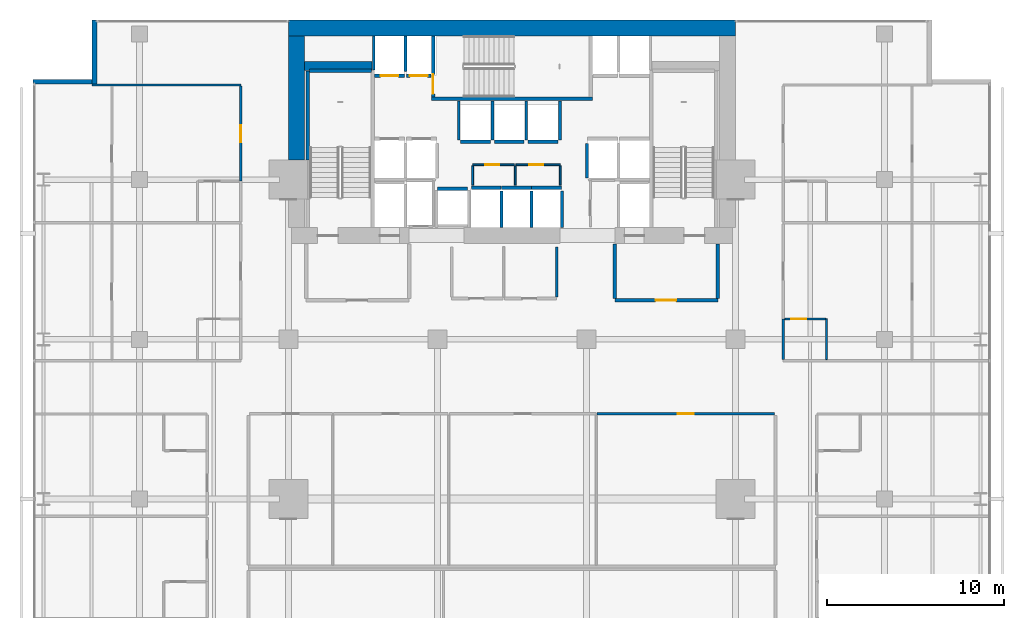
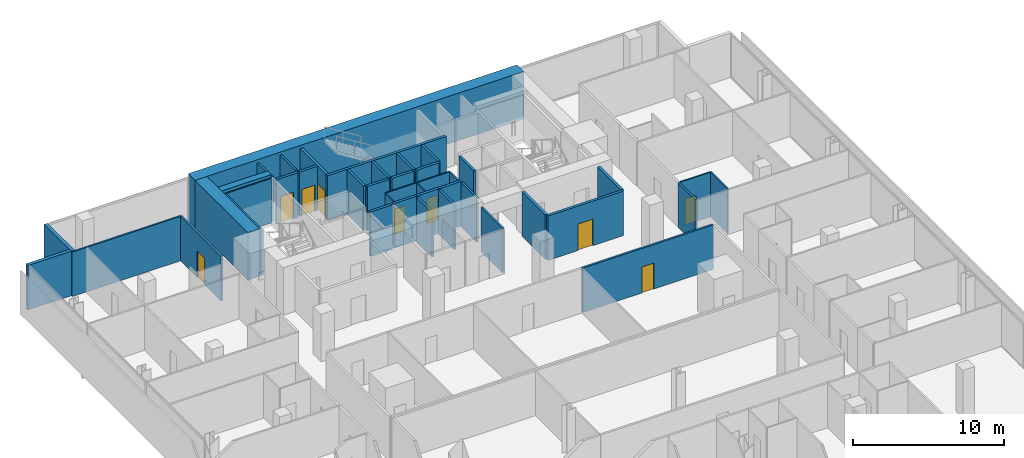
# One storey, part 36 of 40: 43 walls, 9 doors, 9 openings.
"""IFC4 building model written with IfcOpenShell, lengths in metres."""

from ifc_helpers import new_model, si_unit, direction, frame, frame_2d, origin, place, context, subcontext, project, spatial, rectangle, extrude, material, layer, layer_set, type_object, element, fill, save


model = new_model("IFC4")

# Units and contexts
model_context = context("Model", 3, precision=1e-05, world=origin(), true_north=direction((0.0, 1.0)))
body_context = subcontext(model_context, "Body", "Model", "MODEL_VIEW")
ifc_project = project(units=[si_unit("LENGTHUNIT", "METRE"), si_unit("AREAUNIT", "SQUARE_METRE"), si_unit("VOLUMEUNIT", "CUBIC_METRE"), si_unit("PLANEANGLEUNIT", "RADIAN"), si_unit("MASSUNIT", "GRAM", prefix="KILO")], contexts=[model_context])

# Site, building, storey
site_placement = place(None, origin())
site = spatial("IfcSite", under=ifc_project, at=site_placement, CompositionType="ELEMENT")
building_placement = place(site_placement, origin())
building = spatial("IfcBuilding", under=site, at=building_placement, Name="Maruvema Waterfront Hotel and Observation Tower", CompositionType="ELEMENT")
storey_placement = place(building_placement, frame((0.0, 0.0, 96.25)))
storey = spatial("IfcBuildingStorey", under=building, at=storey_placement, Name="L23", CompositionType="ELEMENT", Elevation=96.25)

# Wall
ifc_material_1 = material(Name="Twin-stud acoustic gypsum drywall", Category="gypsum")
ifc_layer_1 = layer(ifc_material_1, 0.14990234375, Name="Acoustic Corridor and Suite Demising Wall 150 mm")
ifc_layer_set_1 = layer_set([ifc_layer_1], Name="Twin-stud acoustic gypsum drywall")
wall_type_1 = type_object("IfcWallType", Name="Acoustic Corridor and Suite Demising Wall 150 mm", PredefinedType="PARTITIONING", material=ifc_layer_set_1)
wall_1_placement = place(storey_placement, frame((40.320068359375, 38.3798828125, 0.0), z_axis=(0.0, 0.0, 1.0), x_axis=(0.0, 1.0, 0.0)))
element("IfcWall", 1, at=wall_1_placement, inside=storey, type_object=wall_type_1, Name="L23 Core Apron K2 East 021", PredefinedType="PARTITIONING", context=body_context, shape_type="SweptSolid", body=[
    extrude(rectangle(XDim=2.840087890625, YDim=0.14990234375, at=frame_2d((1.419921875, 0.0))), origin(), (0.0, 0.0, 1.0), 3.610107421875),
])

# Wall, opening, door
wall_2_placement = place(storey_placement, frame((42.58203125, 31.800048828125, 0.0), z_axis=(0.0, 0.0, 1.0), x_axis=(1.0, 0.0, 0.0)))
wall_2 = element("IfcWall", 2, at=wall_2_placement, inside=storey, type_object=wall_type_1, Name="L23 L23-INTN Front 4 031", PredefinedType="PARTITIONING", context=body_context, shape_type="SweptSolid", body=[
    extrude(rectangle(XDim=10.008056640625, YDim=0.14990234375, at=frame_2d((5.00390625, 0.0))), origin(), (0.0, 0.0, 1.0), 3.610107421875),
])
opening_1_placement = place(wall_2_placement, frame((4.553955078125, 0.0, 0.0)))
opening_1 = element("IfcOpeningElement", 3, at=opening_1_placement, cuts=wall_2, Name="Opening DR-090", PredefinedType="OPENING", context=body_context, shape_type="SweptSolid", body=[
    extrude(rectangle(XDim=0.89990234375, YDim=2.10009765625, at=frame_2d((0.449951171875, 1.050048828125))), frame((0.0, 0.0849609375, 0.0), z_axis=(0.0, -1.0, 0.0), x_axis=(1.0, 0.0, 0.0)), (0.0, 0.0, 1.0), 0.169921875),
])
ifc_material_2 = material(Name="Solid-core lacquered timber leaf", Category="wood")
door_type_1 = type_object("IfcDoorType", Name="Accessible Toilet and Room Door 900x2100 mm", OperationType="NOTDEFINED", PredefinedType="DOOR", material=ifc_material_2)
door_1_placement = place(opening_1_placement, origin())
door_1 = element("IfcDoor", 4, at=door_1_placement, inside=storey, type_object=door_type_1, Name="L23 Butler Kitchenette Door", OperationType="SINGLE_SWING_RIGHT", OverallHeight=2.10009765625, OverallWidth=0.89990234375, PredefinedType="DOOR", context=body_context, shape_type="SweptSolid", body=[
    extrude(rectangle(XDim=0.89990234375, YDim=2.10009765625, at=frame_2d((0.449951171875, 1.050048828125))), frame((0.0, 0.02490234375, 0.0), z_axis=(0.0, -1.0, 0.0), x_axis=(1.0, 0.0, 0.0)), (0.0, 0.0, 1.0), 0.050048828125),
])
fill(opening_1, door_1)

# Wall
wall_3_placement = place(storey_placement, frame((53.080078125, 34.860107421875, 0.0), z_axis=(0.0, 0.0, 1.0), x_axis=(0.0, 1.0, 0.0)))
element("IfcWall", 5, at=wall_3_placement, inside=storey, type_object=wall_type_1, Name="L23 Bath L23-NE1 Wall 108", PredefinedType="PARTITIONING", context=body_context, shape_type="SweptSolid", body=[
    extrude(rectangle(XDim=2.289794921875, YDim=0.14990234375, at=frame_2d((1.14501953125, 0.0))), origin(), (0.0, 0.0, 1.0), 3.610107421875),
])

# Wall, opening, door
wall_4_placement = place(storey_placement, frame((22.52001953125, 44.918701171875, 0.0), z_axis=(0.0, 0.0, 1.0), x_axis=(0.0, 1.0, 0.0)))
wall_4 = element("IfcWall", 6, at=wall_4_placement, inside=storey, type_object=wall_type_1, Name="L23 Room L23-NW2 Corridor Wall 116", PredefinedType="PARTITIONING", context=body_context, shape_type="SweptSolid", body=[
    extrude(rectangle(XDim=5.35888671875, YDim=0.14990234375, at=frame_2d((2.679443359375, 0.0))), origin(), (0.0, 0.0, 1.0), 3.610107421875),
])
opening_2_placement = place(wall_4_placement, frame((2.204345703125, 0.0, 0.0)))
opening_2 = element("IfcOpeningElement", 7, at=opening_2_placement, cuts=wall_4, Name="Opening DR-095", PredefinedType="OPENING", context=body_context, shape_type="SweptSolid", body=[
    extrude(rectangle(XDim=0.949951171875, YDim=2.14990234375, at=frame_2d((0.47509765625, 1.074951171875))), frame((0.0, 0.0849609375, 0.0), z_axis=(0.0, -1.0, 0.0), x_axis=(1.0, 0.0, 0.0)), (0.0, 0.0, 1.0), 0.169921875),
])
ifc_material_3 = material(Name="Acoustic solid-core hardwood timber leaf", Category="wood")
door_type_2 = type_object("IfcDoorType", Name="Guestroom Entrance Fire Door 950x2150 mm", OperationType="NOTDEFINED", PredefinedType="DOOR", material=ifc_material_3)
door_2_placement = place(opening_2_placement, origin())
door_2 = element("IfcDoor", 8, at=door_2_placement, inside=storey, type_object=door_type_2, Name="L23 Room L23-NW2 Entrance Door", OperationType="SINGLE_SWING_RIGHT", OverallHeight=2.14990234375, OverallWidth=0.949951171875, PredefinedType="DOOR", context=body_context, shape_type="SweptSolid", body=[
    extrude(rectangle(XDim=0.949951171875, YDim=2.14990234375, at=frame_2d((0.47509765625, 1.074951171875))), frame((0.0, 0.02490234375, 0.0), z_axis=(0.0, -1.0, 0.0), x_axis=(1.0, 0.0, 0.0)), (0.0, 0.0, 1.0), 0.050048828125),
])
fill(opening_2, door_2)

# Walls
ifc_material_4 = material(Name="Precast concrete C45/55", Category="concrete")
ifc_layer_2 = layer(ifc_material_4, 0.199951171875, Name="Core Shaft and Stairwell Enclosure Wall 200 mm")
ifc_layer_set_2 = layer_set([ifc_layer_2], Name="Precast concrete C45/55")
wall_type_2 = type_object("IfcWallType", Name="Core Shaft and Stairwell Enclosure Wall 200 mm", PredefinedType="SOLIDWALL", material=ifc_layer_set_2)
wall_5_placement = place(storey_placement, frame((26.300048828125, 46.1201171875, 0.0), z_axis=(0.0, 0.0, 1.0), x_axis=(0.0, 1.0, 0.0)))
element("IfcWall", 9, at=wall_5_placement, inside=storey, type_object=wall_type_2, Name="L23 Stairwell ST-01 Shaft Lining Wall", PredefinedType="SOLIDWALL", context=body_context, shape_type="SweptSolid", body=[
    extrude(rectangle(XDim=5.0, YDim=0.199951171875, at=frame_2d((2.5, 0.0))), origin(), (0.0, 0.0, 1.0), 3.610107421875),
])
wall_6_placement = place(storey_placement, frame((26.3798828125, 51.14990234375, 0.0), z_axis=(0.0, 0.0, 1.0), x_axis=(1.0, 0.0, 0.0)))
element("IfcWall", 10, at=wall_6_placement, inside=storey, type_object=wall_type_2, Name="L23 Stairwell ST-01 Shaft Lining Wall", PredefinedType="SOLIDWALL", context=body_context, shape_type="SweptSolid", body=[
    extrude(rectangle(XDim=3.5, YDim=0.199951171875, at=frame_2d((1.75, 0.0))), origin(), (0.0, 0.0, 1.0), 3.610107421875),
])
wall_7_placement = place(storey_placement, frame((33.25, 49.550048828125, 0.0), z_axis=(0.0, 0.0, 1.0), x_axis=(1.0, 0.0, 0.0)))
element("IfcWall", 11, at=wall_7_placement, inside=storey, type_object=wall_type_2, Name="L23 Stairwell ST-02 Shaft Wall", PredefinedType="SOLIDWALL", context=body_context, shape_type="SweptSolid", body=[
    extrude(rectangle(XDim=9.10009765625, YDim=0.199951171875, at=frame_2d((4.550048828125, 0.0))), origin(), (0.0, 0.0, 1.0), 3.610107421875),
])

# Wall, opening, door
wall_8_placement = place(storey_placement, frame((33.35009765625, 49.64990234375, 0.0), z_axis=(0.0, 0.0, 1.0), x_axis=(0.0, 1.0, 0.0)))
wall_8 = element("IfcWall", 12, at=wall_8_placement, inside=storey, type_object=wall_type_2, Name="L23 Stairwell ST-02 Shaft Wall", PredefinedType="SOLIDWALL", context=body_context, shape_type="SweptSolid", body=[
    extrude(rectangle(XDim=3.4501953125, YDim=0.199951171875, at=frame_2d((1.72509765625, 0.0))), origin(), (0.0, 0.0, 1.0), 3.610107421875),
])
opening_3_placement = place(wall_8_placement, frame((0.179931640625, 0.0, 0.0)))
opening_3 = element("IfcOpeningElement", 13, at=opening_3_placement, cuts=wall_8, Name="Opening SD-02", PredefinedType="OPENING", context=body_context, shape_type="SweptSolid", body=[
    extrude(rectangle(XDim=1.10009765625, YDim=2.14990234375, at=frame_2d((0.550048828125, 1.074951171875))), frame((0.0, 0.10986328125, 0.0), z_axis=(0.0, -1.0, 0.0), x_axis=(1.0, 0.0, 0.0)), (0.0, 0.0, 1.0), 0.219970703125),
])
ifc_material_5 = material(Name="Fire-rated galvanised steel leaf", Category="steel")
door_type_3 = type_object("IfcDoorType", Name="Central Exit Stair Fire Door 1100x2150 mm", OperationType="NOTDEFINED", PredefinedType="DOOR", material=ifc_material_5)
door_3_placement = place(opening_3_placement, frame((1.10009765625, 0.0, 0.0), z_axis=(0.0, 0.0, 1.0), x_axis=(-1.0, 0.0, 0.0)))
door_3 = element("IfcDoor", 14, at=door_3_placement, inside=storey, type_object=door_type_3, Name="L23 Exit Stair ST-02 Fire Door", OperationType="SINGLE_SWING_LEFT", OverallHeight=2.14990234375, OverallWidth=1.10009765625, PredefinedType="DOOR", context=body_context, shape_type="SweptSolid", body=[
    extrude(rectangle(XDim=1.10009765625, YDim=2.14990234375, at=frame_2d((0.550048828125, 1.074951171875))), frame((0.0, 0.02490234375, 0.0), z_axis=(0.0, -1.0, 0.0), x_axis=(1.0, 0.0, 0.0)), (0.0, 0.0, 1.0), 0.050048828125),
])
fill(opening_3, door_3)

wall_9_placement = place(storey_placement, frame((30.06005859375, 50.85009765625, 0.0), z_axis=(0.0, 0.0, 1.0), x_axis=(1.0, 0.0, 0.0)))
wall_9 = element("IfcWall", 15, at=wall_9_placement, inside=storey, type_object=wall_type_2, Name="L23 Lift LF-03 Hoistway Front Wall", PredefinedType="SOLIDWALL", context=body_context, shape_type="SweptSolid", body=[
    extrude(rectangle(XDim=1.679931640625, YDim=0.199951171875, at=frame_2d((0.83984375, 0.0))), origin(), (0.0, 0.0, 1.0), 3.610107421875),
])
opening_4_placement = place(wall_9_placement, frame((0.340087890625, 0.0, 0.0)))
opening_4 = element("IfcOpeningElement", 16, at=opening_4_placement, cuts=wall_9, Name="Opening LD-01", PredefinedType="OPENING", context=body_context, shape_type="SweptSolid", body=[
    extrude(rectangle(XDim=1.0, YDim=2.14990234375, at=frame_2d((0.5, 1.074951171875))), frame((0.0, 0.10986328125, 0.0), z_axis=(0.0, -1.0, 0.0), x_axis=(1.0, 0.0, 0.0)), (0.0, 0.0, 1.0), 0.219970703125),
])
ifc_material_6 = material(Name="Brushed stainless steel Grade 316", Category="steel")
door_type_4 = type_object("IfcDoorType", Name="Passenger Lift Sliding Landing Door 1000x2150 mm", OperationType="SLIDING_TO_LEFT", PredefinedType="DOOR", material=ifc_material_6)
door_4_placement = place(opening_4_placement, frame((1.0, 0.0, 0.0), z_axis=(0.0, 0.0, 1.0), x_axis=(-1.0, 0.0, 0.0)))
door_4 = element("IfcDoor", 17, at=door_4_placement, inside=storey, type_object=door_type_4, Name="L23 Lift LF-03 Sliding Landing Door", OperationType="SLIDING_TO_LEFT", OverallHeight=2.14990234375, OverallWidth=1.0, PredefinedType="DOOR", context=body_context, shape_type="SweptSolid", body=[
    extrude(rectangle(XDim=1.0, YDim=2.14990234375, at=frame_2d((0.5, 1.074951171875))), frame((0.0, 0.02490234375, 0.0), z_axis=(0.0, -1.0, 0.0), x_axis=(1.0, 0.0, 0.0)), (0.0, 0.0, 1.0), 0.050048828125),
])
fill(opening_4, door_4)

wall_10_placement = place(storey_placement, frame((31.860107421875, 50.85009765625, 0.0), z_axis=(0.0, 0.0, 1.0), x_axis=(1.0, 0.0, 0.0)))
wall_10 = element("IfcWall", 18, at=wall_10_placement, inside=storey, type_object=wall_type_2, Name="L23 Lift LF-04 Hoistway Front Wall", PredefinedType="SOLIDWALL", context=body_context, shape_type="SweptSolid", body=[
    extrude(rectangle(XDim=1.3798828125, YDim=0.199951171875, at=frame_2d((0.68994140625, 0.0))), origin(), (0.0, 0.0, 1.0), 3.610107421875),
])
opening_5_placement = place(wall_10_placement, frame((0.18994140625, 0.0, 0.0)))
opening_5 = element("IfcOpeningElement", 19, at=opening_5_placement, cuts=wall_10, Name="Opening LD-01", PredefinedType="OPENING", context=body_context, shape_type="SweptSolid", body=[
    extrude(rectangle(XDim=1.0, YDim=2.14990234375, at=frame_2d((0.5, 1.074951171875))), frame((0.0, 0.10986328125, 0.0), z_axis=(0.0, -1.0, 0.0), x_axis=(1.0, 0.0, 0.0)), (0.0, 0.0, 1.0), 0.219970703125),
])
door_5_placement = place(opening_5_placement, frame((1.0, 0.0, 0.0), z_axis=(0.0, 0.0, 1.0), x_axis=(-1.0, 0.0, 0.0)))
door_5 = element("IfcDoor", 20, at=door_5_placement, inside=storey, type_object=door_type_4, Name="L23 Lift LF-04 Sliding Landing Door", OperationType="SLIDING_TO_LEFT", OverallHeight=2.14990234375, OverallWidth=1.0, PredefinedType="DOOR", context=body_context, shape_type="SweptSolid", body=[
    extrude(rectangle(XDim=1.0, YDim=2.14990234375, at=frame_2d((0.5, 1.074951171875))), frame((0.0, 0.02490234375, 0.0), z_axis=(0.0, -1.0, 0.0), x_axis=(1.0, 0.0, 0.0)), (0.0, 0.0, 1.0), 0.050048828125),
])
fill(opening_5, door_5)

# Walls
for number, where, z_axis, x_axis, name in (
    (21, (35.510009765625, 44.550048828125, 0.0), (0.0, 0.0, 1.0), (1.0, 0.0, 0.0), "L23 Lift LF-09 Hoistway Front Wall"),
    (22, (37.2099609375, 44.550048828125, 0.0), (0.0, 0.0, 1.0), (1.0, 0.0, 0.0), "L23 Lift LF-10 Hoistway Front Wall"),
):
    element("IfcWall", number, at=place(storey_placement, frame(where, z_axis=z_axis, x_axis=x_axis)), inside=storey, type_object=wall_type_2, Name=name, PredefinedType="SOLIDWALL", context=body_context, shape_type="SweptSolid", body=[
        extrude(rectangle(XDim=1.679931640625, YDim=0.199951171875, at=frame_2d((0.83984375, 0.0))), origin(), (0.0, 0.0, 1.0), 3.610107421875),
    ])
for number, where, z_axis, x_axis, name in (
    (23, (38.909912109375, 44.550048828125, 0.0), (0.0, 0.0, 1.0), (1.0, 0.0, 0.0), "L23 Lift LF-11 Hoistway Front Wall"),
    (24, (34.909912109375, 47.14990234375, 0.0), (0.0, 0.0, 1.0), (1.0, 0.0, 0.0), "L23 Lift LF-12 Hoistway Front Wall"),
):
    element("IfcWall", number, at=place(storey_placement, frame(where, z_axis=z_axis, x_axis=x_axis)), inside=storey, type_object=wall_type_2, Name=name, PredefinedType="SOLIDWALL", context=body_context, shape_type="SweptSolid", body=[
        extrude(rectangle(XDim=1.68017578125, YDim=0.199951171875, at=frame_2d((0.840087890625, 0.0))), origin(), (0.0, 0.0, 1.0), 3.610107421875),
    ])
for number, where, z_axis, x_axis, name in (
    (25, (36.81005859375, 47.14990234375, 0.0), (0.0, 0.0, 1.0), (1.0, 0.0, 0.0), "L23 Lift LF-13 Hoistway Front Wall"),
    (26, (38.7099609375, 47.14990234375, 0.0), (0.0, 0.0, 1.0), (1.0, 0.0, 0.0), "L23 Lift LF-14 Hoistway Front Wall"),
    (27, (33.610107421875, 44.5, 0.0), (0.0, 0.0, 1.0), (1.0, 0.0, 0.0), "L23 Lift LF-15 Hoistway Front Wall"),
):
    element("IfcWall", number, at=place(storey_placement, frame(where, z_axis=z_axis, x_axis=x_axis)), inside=storey, type_object=wall_type_2, Name=name, PredefinedType="SOLIDWALL", context=body_context, shape_type="SweptSolid", body=[
        extrude(rectangle(XDim=1.679931640625, YDim=0.199951171875, at=frame_2d((0.83984375, 0.0))), origin(), (0.0, 0.0, 1.0), 3.610107421875),
    ])
ifc_material_7 = material(Name="Concrete C70/85", Category="concrete")
ifc_layer_3 = layer(ifc_material_7, 0.5, Name="Core Shear Wall 500 mm")
ifc_layer_set_3 = layer_set([ifc_layer_3], Name="Concrete C70/85")
wall_type_3 = type_object("IfcWallType", Name="Core Shear Wall 500 mm", PredefinedType="SHEAR", material=ifc_layer_set_3)
wall_11_placement = place(storey_placement, frame((26.10009765625, 51.39990234375, 0.0), z_axis=(0.0, 0.0, 1.0), x_axis=(1.0, 0.0, 0.0)))
element("IfcWall", 28, at=wall_11_placement, inside=storey, type_object=wall_type_3, Name="L23 Internal Core Shear Wall NW 500 mm", PredefinedType="SHEAR", context=body_context, shape_type="SweptSolid", body=[
    extrude(rectangle(XDim=3.7998046875, YDim=0.5, at=frame_2d((1.89990234375, 0.0))), origin(), (0.0, 0.0, 1.0), 3.85009765625),
])
ifc_material_8 = material(Name="Concrete C80/95", Category="concrete")
ifc_layer_4 = layer(ifc_material_8, 0.89990234375, Name="Core Shear Wall 900 mm")
ifc_layer_set_4 = layer_set([ifc_layer_4], Name="Concrete C80/95")
wall_type_4 = type_object("IfcWallType", Name="Core Shear Wall 900 mm", PredefinedType="SHEAR", material=ifc_layer_set_4)
wall_12_placement = place(storey_placement, frame((25.199951171875, 53.550048828125, 0.0), z_axis=(0.0, 0.0, 1.0), x_axis=(1.0, 0.0, 0.0)))
element("IfcWall", 29, at=wall_12_placement, inside=storey, type_object=wall_type_4, Name="L23 North Core Shear Wall", PredefinedType="SHEAR", context=body_context, shape_type="SweptSolid", body=[
    extrude(rectangle(XDim=25.199951171875, YDim=0.89990234375, at=frame_2d((12.60009765625, 0.0))), origin(), (0.0, 0.0, 1.0), 3.85009765625),
])
wall_13_placement = place(storey_placement, frame((25.64990234375, 46.10009765625, 0.0), z_axis=(0.0, 0.0, 1.0), x_axis=(0.0, 1.0, 0.0)))
element("IfcWall", 30, at=wall_13_placement, inside=storey, type_object=wall_type_4, Name="L23 West-North Core Shear Wall", PredefinedType="SHEAR", context=body_context, shape_type="SweptSolid", body=[
    extrude(rectangle(XDim=7.0, YDim=0.89990234375, at=frame_2d((3.5, 0.0))), origin(), (0.0, 0.0, 1.0), 3.85009765625),
])

# Wall, opening, door
ifc_material_9 = material(Name="Moisture-resistant cement-board drywall", Category="gypsum")
ifc_layer_5 = layer(ifc_material_9, 0.10009765625, Name="En-Suite Moisture-Resistant Partition 100 mm")
ifc_layer_set_5 = layer_set([ifc_layer_5], Name="Moisture-resistant cement-board drywall")
wall_type_5 = type_object("IfcWallType", Name="En-Suite Moisture-Resistant Partition 100 mm", PredefinedType="PARTITIONING", material=ifc_layer_set_5)
wall_14_placement = place(storey_placement, frame((35.580078125, 45.840087890625, 0.0), z_axis=(0.0, 0.0, 1.0), x_axis=(1.0, 0.0, 0.0)))
wall_14 = element("IfcWall", 31, at=wall_14_placement, inside=storey, type_object=wall_type_5, Name="L23 Core Closet K2A North 010", PredefinedType="PARTITIONING", context=body_context, shape_type="SweptSolid", body=[
    extrude(rectangle(XDim=2.35986328125, YDim=0.10009765625, at=frame_2d((1.179931640625, 0.0))), origin(), (0.0, 0.0, 1.0), 3.610107421875),
])
opening_6_placement = place(wall_14_placement, frame((0.699951171875, 0.0, 0.0)))
opening_6 = element("IfcOpeningElement", 32, at=opening_6_placement, cuts=wall_14, Name="Opening DR-080", PredefinedType="OPENING", context=body_context, shape_type="SweptSolid", body=[
    extrude(rectangle(XDim=0.800048828125, YDim=2.050048828125, at=frame_2d((0.39990234375, 1.02490234375))), frame((0.0, 0.06005859375, 0.0), z_axis=(0.0, -1.0, 0.0), x_axis=(1.0, 0.0, 0.0)), (0.0, 0.0, 1.0), 0.1201171875),
])
ifc_material_10 = material(Name="Powder-coated steel access leaf", Category="steel")
door_type_5 = type_object("IfcDoorType", Name="Riser and Service Cupboard Door 800x2050 mm", OperationType="NOTDEFINED", PredefinedType="DOOR", material=ifc_material_10)
door_6_placement = place(opening_6_placement, origin())
door_6 = element("IfcDoor", 33, at=door_6_placement, inside=storey, type_object=door_type_5, Name="L23 Core IT Closet Door", OperationType="SINGLE_SWING_RIGHT", OverallHeight=2.050048828125, OverallWidth=0.800048828125, PredefinedType="DOOR", context=body_context, shape_type="SweptSolid", body=[
    extrude(rectangle(XDim=0.800048828125, YDim=2.050048828125, at=frame_2d((0.39990234375, 1.02490234375))), frame((0.0, 0.02490234375, 0.0), z_axis=(0.0, -1.0, 0.0), x_axis=(1.0, 0.0, 0.0)), (0.0, 0.0, 1.0), 0.050048828125),
])
fill(opening_6, door_6)

wall_15_placement = place(storey_placement, frame((38.02001953125, 45.840087890625, 0.0), z_axis=(0.0, 0.0, 1.0), x_axis=(1.0, 0.0, 0.0)))
wall_15 = element("IfcWall", 34, at=wall_15_placement, inside=storey, type_object=wall_type_5, Name="L23 Core Closet K2B North 011", PredefinedType="PARTITIONING", context=body_context, shape_type="SweptSolid", body=[
    extrude(rectangle(XDim=2.5, YDim=0.10009765625, at=frame_2d((1.25, 0.0))), origin(), (0.0, 0.0, 1.0), 3.610107421875),
])
opening_7_placement = place(wall_15_placement, frame((0.75, 0.0, 0.0)))
opening_7 = element("IfcOpeningElement", 35, at=opening_7_placement, cuts=wall_15, Name="Opening DR-080", PredefinedType="OPENING", context=body_context, shape_type="SweptSolid", body=[
    extrude(rectangle(XDim=0.800048828125, YDim=2.050048828125, at=frame_2d((0.39990234375, 1.02490234375))), frame((0.0, 0.06005859375, 0.0), z_axis=(0.0, -1.0, 0.0), x_axis=(1.0, 0.0, 0.0)), (0.0, 0.0, 1.0), 0.1201171875),
])
door_7_placement = place(opening_7_placement, origin())
door_7 = element("IfcDoor", 36, at=door_7_placement, inside=storey, type_object=door_type_5, Name="L23 Core Linen Cupboard Door", OperationType="SINGLE_SWING_LEFT", OverallHeight=2.050048828125, OverallWidth=0.800048828125, PredefinedType="DOOR", context=body_context, shape_type="SweptSolid", body=[
    extrude(rectangle(XDim=0.800048828125, YDim=2.050048828125, at=frame_2d((0.39990234375, 1.02490234375))), frame((0.0, 0.02490234375, 0.0), z_axis=(0.0, -1.0, 0.0), x_axis=(1.0, 0.0, 0.0)), (0.0, 0.0, 1.0), 0.050048828125),
])
fill(opening_7, door_7)

# Walls
for number, where, z_axis, x_axis, name in (
    (37, (35.580078125, 44.699951171875, 0.0), (0.0, 0.0, 1.0), (0.0, 1.0, 0.0), "L23 Core Closet K2 West 012"),
    (38, (37.97998046875, 44.699951171875, 0.0), (0.0, 0.0, 1.0), (0.0, 1.0, 0.0), "L23 Core Closet K2 Mid 013"),
    (39, (40.52001953125, 44.699951171875, 0.0), (0.0, 0.0, 1.0), (0.0, 1.0, 0.0), "L23 Core Closet K2 East 014"),
):
    element("IfcWall", number, at=place(storey_placement, frame(where, z_axis=z_axis, x_axis=x_axis)), inside=storey, type_object=wall_type_5, Name=name, PredefinedType="PARTITIONING", context=body_context, shape_type="SweptSolid", body=[
        extrude(rectangle(XDim=1.080078125, YDim=0.10009765625, at=frame_2d((0.5400390625, 0.0))), origin(), (0.0, 0.0, 1.0), 3.610107421875),
    ])
wall_16_placement = place(storey_placement, frame((55.530029296875, 34.860107421875, 0.0), z_axis=(0.0, 0.0, 1.0), x_axis=(0.0, 1.0, 0.0)))
element("IfcWall", 40, at=wall_16_placement, inside=storey, type_object=wall_type_5, Name="L23 En-Suite L23-NE1 E 110", PredefinedType="PARTITIONING", context=body_context, shape_type="SweptSolid", body=[
    extrude(rectangle(XDim=2.289794921875, YDim=0.10009765625, at=frame_2d((1.14501953125, 0.0))), origin(), (0.0, 0.0, 1.0), 3.610107421875),
])

# Wall, opening, door
wall_17_placement = place(storey_placement, frame((53.179931640625, 37.14990234375, 0.0), z_axis=(0.0, 0.0, 1.0), x_axis=(1.0, 0.0, 0.0)))
wall_17 = element("IfcWall", 41, at=wall_17_placement, inside=storey, type_object=wall_type_5, Name="L23 En-Suite L23-NE1 N 111", PredefinedType="PARTITIONING", context=body_context, shape_type="SweptSolid", body=[
    extrude(rectangle(XDim=2.300048828125, YDim=0.10009765625, at=frame_2d((1.14990234375, 0.0))), origin(), (0.0, 0.0, 1.0), 3.610107421875),
])
opening_8_placement = place(wall_17_placement, frame((0.35009765625, 0.0, 0.0)))
opening_8 = element("IfcOpeningElement", 42, at=opening_8_placement, cuts=wall_17, Name="Opening DR-085", PredefinedType="OPENING", context=body_context, shape_type="SweptSolid", body=[
    extrude(rectangle(XDim=0.85009765625, YDim=2.10009765625, at=frame_2d((0.425048828125, 1.050048828125))), frame((0.0, 0.06005859375, 0.0), z_axis=(0.0, -1.0, 0.0), x_axis=(1.0, 0.0, 0.0)), (0.0, 0.0, 1.0), 0.1201171875),
])
ifc_material_11 = material(Name="Moisture-resistant solid timber leaf", Category="wood")
door_type_6 = type_object("IfcDoorType", Name="En-Suite Bathroom Door 850x2100 mm", OperationType="NOTDEFINED", PredefinedType="DOOR", material=ifc_material_11)
door_8_placement = place(opening_8_placement, origin())
door_8 = element("IfcDoor", 43, at=door_8_placement, inside=storey, type_object=door_type_6, Name="L23 En-Suite L23-NE1 Door", OperationType="SINGLE_SWING_RIGHT", OverallHeight=2.10009765625, OverallWidth=0.85009765625, PredefinedType="DOOR", context=body_context, shape_type="SweptSolid", body=[
    extrude(rectangle(XDim=0.85009765625, YDim=2.10009765625, at=frame_2d((0.425048828125, 1.050048828125))), frame((0.0, 0.02490234375, 0.0), z_axis=(0.0, -1.0, 0.0), x_axis=(1.0, 0.0, 0.0)), (0.0, 0.0, 1.0), 0.050048828125),
])
fill(opening_8, door_8)

# Walls
ifc_material_12 = material(Name="Precast concrete C45/55 with honed Pernambuco granite facing", Category="masonry")
ifc_layer_6 = layer(ifc_material_12, 0.260009765625, Name="Exterior Granite Clad Spandrel and Pier Wall 260 mm")
ifc_layer_set_6 = layer_set([ifc_layer_6], Name="Precast concrete C45/55 with honed Pernambuco granite facing")
wall_type_6 = type_object("IfcWallType", Name="Exterior Granite Clad Spandrel and Pier Wall 260 mm", PredefinedType="SOLIDWALL", material=ifc_layer_set_6)
wall_18_placement = place(storey_placement, frame((14.27001953125, 50.39990234375, 0.0), z_axis=(0.0, 0.0, 1.0), x_axis=(0.0, 1.0, 0.0)))
element("IfcWall", 44, at=wall_18_placement, inside=storey, type_object=wall_type_6, Name="L23 Corner Notch Granite Pier Wall NW1", PredefinedType="SOLIDWALL", context=body_context, shape_type="SweptSolid", body=[
    extrude(rectangle(XDim=3.60009765625, YDim=0.260009765625, at=frame_2d((1.800048828125, 0.0))), origin(), (0.0, 0.0, 1.0), 3.610107421875),
])
wall_19_placement = place(storey_placement, frame((10.800048828125, 50.530029296875, 0.0), z_axis=(0.0, 0.0, 1.0), x_axis=(1.0, 0.0, 0.0)))
element("IfcWall", 45, at=wall_19_placement, inside=storey, type_object=wall_type_6, Name="L23 Corner Notch Granite Pier Wall NW2", PredefinedType="SOLIDWALL", context=body_context, shape_type="SweptSolid", body=[
    extrude(rectangle(XDim=3.599853515625, YDim=0.260009765625, at=frame_2d((1.7998046875, 0.0))), origin(), (0.0, 0.0, 1.0), 3.610107421875),
])

# Wall, opening, door
ifc_material_13 = material(Name="Autoclaved cellular concrete blockwork", Category="masonry")
ifc_layer_7 = layer(ifc_material_13, 0.199951171875, Name="Fire Compartment Masonry Wall 200 mm")
ifc_layer_set_7 = layer_set([ifc_layer_7], Name="Autoclaved cellular concrete blockwork")
wall_type_7 = type_object("IfcWallType", Name="Fire Compartment Masonry Wall 200 mm", PredefinedType="PARTITIONING", material=ifc_layer_set_7)
wall_20_placement = place(storey_placement, frame((43.60009765625, 38.199951171875, 0.0), z_axis=(0.0, 0.0, 1.0), x_axis=(1.0, 0.0, 0.0)))
wall_20 = element("IfcWall", 46, at=wall_20_placement, inside=storey, type_object=wall_type_7, Name="L23 FFL East South Wall 004", PredefinedType="PARTITIONING", context=body_context, shape_type="SweptSolid", body=[
    extrude(rectangle(XDim=5.7998046875, YDim=0.199951171875, at=frame_2d((2.89990234375, 0.0))), origin(), (0.0, 0.0, 1.0), 3.610107421875),
])
opening_9_placement = place(wall_20_placement, frame((2.300048828125, 0.0, 0.0)))
opening_9 = element("IfcOpeningElement", 47, at=opening_9_placement, cuts=wall_20, Name="Opening FD-115", PredefinedType="OPENING", context=body_context, shape_type="SweptSolid", body=[
    extrude(rectangle(XDim=1.14990234375, YDim=2.14990234375, at=frame_2d((0.574951171875, 1.074951171875))), frame((0.0, 0.10986328125, 0.0), z_axis=(0.0, -1.0, 0.0), x_axis=(1.0, 0.0, 0.0)), (0.0, 0.0, 1.0), 0.219970703125),
])
ifc_material_14 = material(Name="Fire-rated galvanised steel and vision glass", Category="steel")
door_type_7 = type_object("IfcDoorType", Name="Firefighting Lobby Fire Door 1150x2150 mm", OperationType="NOTDEFINED", PredefinedType="DOOR", material=ifc_material_14)
door_9_placement = place(opening_9_placement, frame((1.14990234375, 0.0, 0.0), z_axis=(0.0, 0.0, 1.0), x_axis=(-1.0, 0.0, 0.0)))
door_9 = element("IfcDoor", 48, at=door_9_placement, inside=storey, type_object=door_type_7, Name="L23 Firefighting Lobby East Door", OperationType="SINGLE_SWING_RIGHT", OverallHeight=2.14990234375, OverallWidth=1.14990234375, PredefinedType="DOOR", context=body_context, shape_type="SweptSolid", body=[
    extrude(rectangle(XDim=1.14990234375, YDim=2.14990234375, at=frame_2d((0.574951171875, 1.074951171875))), frame((0.0, 0.02490234375, 0.0), z_axis=(0.0, -1.0, 0.0), x_axis=(1.0, 0.0, 0.0)), (0.0, 0.0, 1.0), 0.050048828125),
])
fill(opening_9, door_9)

# Walls
for number, where, z_axis, x_axis, name in (
    (49, (43.60009765625, 38.31005859375, 0.0), (0.0, 0.0, 1.0), (0.0, 1.0, 0.0), "L23 FFL East West Wall 005"),
    (50, (49.39990234375, 38.31005859375, 0.0), (0.0, 0.0, 1.0), (0.0, 1.0, 0.0), "L23 FFL East East Wall 006"),
):
    element("IfcWall", number, at=place(storey_placement, frame(where, z_axis=z_axis, x_axis=x_axis)), inside=storey, type_object=wall_type_7, Name=name, PredefinedType="PARTITIONING", context=body_context, shape_type="SweptSolid", body=[
        extrude(rectangle(XDim=3.06982421875, YDim=0.199951171875, at=frame_2d((1.534912109375, 0.0))), origin(), (0.0, 0.0, 1.0), 3.610107421875),
    ])
ifc_material_15 = material(Name="Acoustic gypsum plasterboard drywall", Category="gypsum")
ifc_layer_8 = layer(ifc_material_15, 0.125, Name="Guestroom Acoustic Demising Wall 125 mm")
ifc_layer_set_8 = layer_set([ifc_layer_8], Name="Acoustic gypsum plasterboard drywall")
wall_type_8 = type_object("IfcWallType", Name="Guestroom Acoustic Demising Wall 125 mm", PredefinedType="PARTITIONING", material=ifc_layer_set_8)
wall_21_placement = place(storey_placement, frame((14.139892578125, 50.33740234375, 0.0), z_axis=(0.0, 0.0, 1.0), x_axis=(1.0, 0.0, 0.0)))
element("IfcWall", 51, at=wall_21_placement, inside=storey, type_object=wall_type_8, Name="L23 NW Top End 101", PredefinedType="PARTITIONING", context=body_context, shape_type="SweptSolid", body=[
    extrude(rectangle(XDim=8.380126953125, YDim=0.125, at=frame_2d((4.18994140625, 0.0))), origin(), (0.0, 0.0, 1.0), 3.610107421875),
])
ifc_material_16 = material(Name="Precast concrete C45/55", Category="concrete")
ifc_layer_9 = layer(ifc_material_16, 0.159912109375, Name="Lift Hoistway Divider Wall 160 mm")
ifc_layer_set_9 = layer_set([ifc_layer_9], Name="Precast concrete C45/55")
wall_type_9 = type_object("IfcWallType", Name="Lift Hoistway Divider Wall 160 mm", PredefinedType="SOLIDWALL", material=ifc_layer_set_9)
wall_22_placement = place(storey_placement, frame((30.010009765625, 51.179931640625, 0.0), z_axis=(0.0, 0.0, 1.0), x_axis=(0.0, 1.0, 0.0)))
element("IfcWall", 52, at=wall_22_placement, inside=storey, type_object=wall_type_9, Name="L23 Hoistway Divider Wall", PredefinedType="SOLIDWALL", context=body_context, shape_type="SweptSolid", body=[
    extrude(rectangle(XDim=1.920166015625, YDim=0.159912109375, at=frame_2d((0.9599609375, 0.0))), origin(), (0.0, 0.0, 1.0), 3.610107421875),
])
wall_23_placement = place(storey_placement, frame((31.800048828125, 51.10009765625, 0.0), z_axis=(0.0, 0.0, 1.0), x_axis=(0.0, 1.0, 0.0)))
element("IfcWall", 53, at=wall_23_placement, inside=storey, type_object=wall_type_9, Name="L23 Hoistway Divider Wall", PredefinedType="SOLIDWALL", context=body_context, shape_type="SweptSolid", body=[
    extrude(rectangle(XDim=2.0, YDim=0.159912109375, at=frame_2d((1.0, 0.0))), origin(), (0.0, 0.0, 1.0), 3.610107421875),
])
wall_24_placement = place(storey_placement, frame((42.02001953125, 45.10009765625, 0.0), z_axis=(0.0, 0.0, 1.0), x_axis=(0.0, 1.0, 0.0)))
element("IfcWall", 54, at=wall_24_placement, inside=storey, type_object=wall_type_9, Name="L23 Hoistway Divider Wall", PredefinedType="SOLIDWALL", context=body_context, shape_type="SweptSolid", body=[
    extrude(rectangle(XDim=1.949951171875, YDim=0.159912109375, at=frame_2d((0.97509765625, 0.0))), origin(), (0.0, 0.0, 1.0), 3.610107421875),
])
for number, where, z_axis, x_axis, name in (
    (55, (37.199951171875, 42.300048828125, 0.0), (0.0, 0.0, 1.0), (0.0, 1.0, 0.0), "L23 Hoistway Divider Wall"),
    (56, (38.89990234375, 42.300048828125, 0.0), (0.0, 0.0, 1.0), (0.0, 1.0, 0.0), "L23 Hoistway Divider Wall"),
    (57, (40.6201171875, 42.300048828125, 0.0), (0.0, 0.0, 1.0), (0.0, 1.0, 0.0), "L23 Hoistway Divider Wall"),
):
    element("IfcWall", number, at=place(storey_placement, frame(where, z_axis=z_axis, x_axis=x_axis)), inside=storey, type_object=wall_type_9, Name=name, PredefinedType="SOLIDWALL", context=body_context, shape_type="SweptSolid", body=[
        extrude(rectangle(XDim=2.050048828125, YDim=0.159912109375, at=frame_2d((1.02490234375, 0.0))), origin(), (0.0, 0.0, 1.0), 3.610107421875),
    ])
for number, where, z_axis, x_axis, name in (
    (58, (34.800048828125, 47.25, 0.0), (0.0, 0.0, 1.0), (0.0, 1.0, 0.0), "L23 Hoistway Divider Wall"),
    (59, (36.699951171875, 47.25, 0.0), (0.0, 0.0, 1.0), (0.0, 1.0, 0.0), "L23 Hoistway Divider Wall"),
    (60, (38.60009765625, 47.25, 0.0), (0.0, 0.0, 1.0), (0.0, 1.0, 0.0), "L23 Hoistway Divider Wall"),
    (61, (40.5, 47.25, 0.0), (0.0, 0.0, 1.0), (0.0, 1.0, 0.0), "L23 Hoistway Divider Wall"),
):
    element("IfcWall", number, at=place(storey_placement, frame(where, z_axis=z_axis, x_axis=x_axis)), inside=storey, type_object=wall_type_9, Name=name, PredefinedType="SOLIDWALL", context=body_context, shape_type="SweptSolid", body=[
        extrude(rectangle(XDim=2.18994140625, YDim=0.159912109375, at=frame_2d((1.094970703125, 0.0))), origin(), (0.0, 0.0, 1.0), 3.610107421875),
    ])

save(model, "model.ifc")
